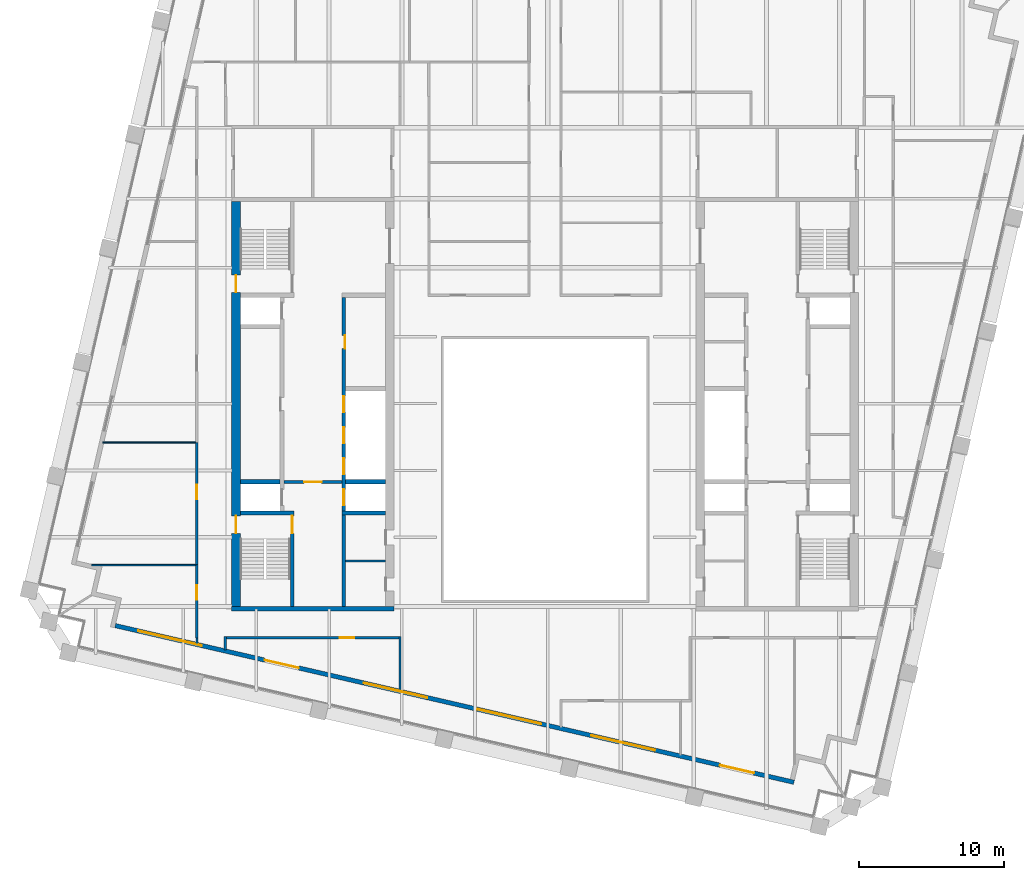
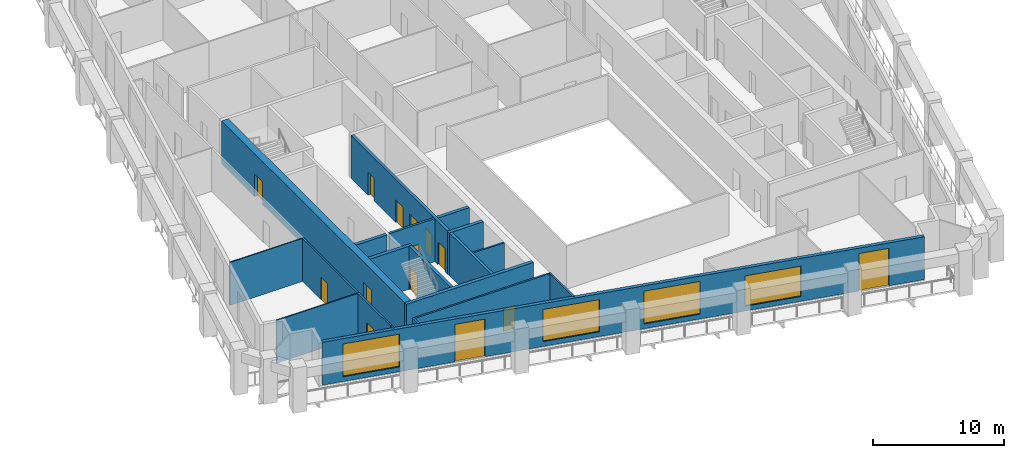
# One storey, part 4 of 10: 19 walls, 14 doors, 4 windows, 18 openings.
"""IFC4 building model written with IfcOpenShell, lengths in metres."""

from ifc_helpers import new_model, si_unit, direction, frame, frame_2d, origin, place, context, subcontext, project, spatial, rectangle, extrude, material, layer, layer_set, type_object, element, fill, save


model = new_model("IFC4")

# Units and contexts
model_context = context("Model", 3, precision=1e-05, world=origin(), true_north=direction((0.0, 1.0)))
body_context = subcontext(model_context, "Body", "Model", "MODEL_VIEW")
ifc_project = project(units=[si_unit("LENGTHUNIT", "METRE"), si_unit("AREAUNIT", "SQUARE_METRE"), si_unit("VOLUMEUNIT", "CUBIC_METRE"), si_unit("PLANEANGLEUNIT", "RADIAN"), si_unit("MASSUNIT", "GRAM", prefix="KILO")], contexts=[model_context])

# Site, building, storey
site_placement = place(None, origin())
site = spatial("IfcSite", under=ifc_project, at=site_placement, CompositionType="ELEMENT")
building_placement = place(site_placement, origin())
building = spatial("IfcBuilding", under=site, at=building_placement, Name="Ogive Exchange Tower", CompositionType="ELEMENT")
storey_placement = place(building_placement, frame((0.0, 0.0, 255.60009765625)))
storey = spatial("IfcBuildingStorey", under=building, at=storey_placement, Name="L55", CompositionType="ELEMENT", Elevation=255.60009765625)

# Wall
ifc_material_1 = material(Name="Gypsum board partition")
ifc_layer_1 = layer(ifc_material_1, 0.14990234375)
ifc_layer_set_1 = layer_set([ifc_layer_1], Name="Core room partition 150 gypsum")
wall_type_1 = type_object("IfcWallType", Name="Core room partition 150 gypsum", PredefinedType="PARTITIONING", material=ifc_layer_set_1)
wall_1_placement = place(storey_placement, frame((-13.75, 0.699951171875, 0.0), z_axis=(0.0, 0.0, 1.0), x_axis=(1.0, 0.0, 0.0)))
element("IfcWall", 1, at=wall_1_placement, inside=storey, type_object=wall_type_1, Name="W south room partition", PredefinedType="PARTITIONING", context=body_context, shape_type="SweptSolid", body=[
    extrude(rectangle(XDim=2.75, YDim=0.14990234375, at=frame_2d((1.375, 0.0))), origin(), (0.0, 0.0, 1.0), 4.0),
])

# Wall, opening, door
ifc_material_2 = material(Name="Fire partition EI 60 150")
ifc_layer_2 = layer(ifc_material_2, 0.14990234375)
ifc_layer_set_2 = layer_set([ifc_layer_2], Name="Fire partition EI 60 150")
wall_type_2 = type_object("IfcWallType", Name="Fire partition EI 60 150", PredefinedType="PARTITIONING", material=ifc_layer_set_2)
wall_2_placement = place(storey_placement, frame((-24.0, -4.60009765625, 0.0), z_axis=(0.0, 0.0, 1.0), x_axis=(0.0, 1.0, 0.0)))
wall_2 = element("IfcWall", 2, at=wall_2_placement, inside=storey, type_object=wall_type_2, Name="L55-PWL-003", PredefinedType="PARTITIONING", context=body_context, shape_type="SweptSolid", body=[
    extrude(rectangle(XDim=5.06005859375, YDim=0.14990234375, at=frame_2d((2.530029296875, 0.0))), origin(), (0.0, 0.0, 1.0), 4.0),
])
opening_1_placement = place(wall_2_placement, frame((2.610107421875, 0.0, 0.0)))
opening_1 = element("IfcOpeningElement", 3, at=opening_1_placement, cuts=wall_2, Name="Opening L55-I15", PredefinedType="OPENING", context=body_context, shape_type="SweptSolid", body=[
    extrude(rectangle(XDim=1.0, YDim=2.10009765625, at=frame_2d((0.5, 1.050048828125))), frame((0.0, 0.0849609375, 0.0), z_axis=(0.0, -1.0, 0.0), x_axis=(1.0, 0.0, 0.0)), (0.0, 0.0, 1.0), 0.169921875),
])
ifc_material_3 = material(Name="Fire door FD 30S 1000 x 2100")
door_type_1 = type_object("IfcDoorType", Name="Fire door FD 30S 1000 x 2100", OperationType="NOTDEFINED", PredefinedType="DOOR", material=ifc_material_3)
door_1_placement = place(opening_1_placement, origin())
door_1 = element("IfcDoor", 4, at=door_1_placement, inside=storey, type_object=door_type_1, Name="L55-IDR-015", ObjectType="DT3", OperationType="SINGLE_SWING_LEFT", OverallHeight=2.10009765625, OverallWidth=1.0, PredefinedType="DOOR", context=body_context, shape_type="SweptSolid", body=[
    extrude(rectangle(XDim=1.0, YDim=2.10009765625, at=frame_2d((0.5, 1.050048828125))), frame((0.0, 0.02490234375, 0.0), z_axis=(0.0, -1.0, 0.0), x_axis=(1.0, 0.0, 0.0)), (0.0, 0.0, 1.0), 0.050048828125),
])
fill(opening_1, door_1)

wall_3_placement = place(storey_placement, frame((-24.0, 0.409912109375, 0.0), z_axis=(0.0, 0.0, 1.0), x_axis=(0.0, 1.0, 0.0)))
wall_3 = element("IfcWall", 5, at=wall_3_placement, inside=storey, type_object=wall_type_2, Name="L55-PWL-005", PredefinedType="PARTITIONING", context=body_context, shape_type="SweptSolid", body=[
    extrude(rectangle(XDim=8.4501953125, YDim=0.14990234375, at=frame_2d((4.22509765625, 0.0))), origin(), (0.0, 0.0, 1.0), 4.0),
])
opening_2_placement = place(wall_3_placement, frame((4.550048828125, 0.0, 0.0)))
opening_2 = element("IfcOpeningElement", 6, at=opening_2_placement, cuts=wall_3, Name="Opening L55-I14", PredefinedType="OPENING", context=body_context, shape_type="SweptSolid", body=[
    extrude(rectangle(XDim=1.0, YDim=2.10009765625, at=frame_2d((0.5, 1.050048828125))), frame((0.0, 0.0849609375, 0.0), z_axis=(0.0, -1.0, 0.0), x_axis=(1.0, 0.0, 0.0)), (0.0, 0.0, 1.0), 0.169921875),
])
door_2_placement = place(opening_2_placement, origin())
door_2 = element("IfcDoor", 7, at=door_2_placement, inside=storey, type_object=door_type_1, Name="L55-IDR-014", ObjectType="DT3", OperationType="SINGLE_SWING_LEFT", OverallHeight=2.10009765625, OverallWidth=1.0, PredefinedType="DOOR", context=body_context, shape_type="SweptSolid", body=[
    extrude(rectangle(XDim=1.0, YDim=2.10009765625, at=frame_2d((0.5, 1.050048828125))), frame((0.0, 0.02490234375, 0.0), z_axis=(0.0, -1.0, 0.0), x_axis=(1.0, 0.0, 0.0)), (0.0, 0.0, 1.0), 0.050048828125),
])
fill(opening_2, door_2)

# Walls
wall_4_placement = place(storey_placement, frame((-23.989990234375, -4.986083984375, 0.0), z_axis=(0.0, 0.0, 1.0), x_axis=(0.0, 1.0, 0.0)))
element("IfcWall", 8, at=wall_4_placement, inside=storey, type_object=wall_type_2, Name="L55-PWL-009", PredefinedType="PARTITIONING", context=body_context, shape_type="SweptSolid", body=[
    extrude(rectangle(XDim=0.385986328125, YDim=0.14990234375, at=frame_2d((0.19287109375, 0.0))), origin(), (0.0, 0.0, 1.0), 4.0),
])
wall_5_placement = place(storey_placement, frame((-22.030029296875, -4.52490234375, 0.0), z_axis=(0.0, 0.0, 1.0), x_axis=(0.0, -1.0, 0.0)))
element("IfcWall", 9, at=wall_5_placement, inside=storey, type_object=wall_type_2, Name="L55-PWL-013", PredefinedType="PARTITIONING", context=body_context, shape_type="SweptSolid", body=[
    extrude(rectangle(XDim=0.9130859375, YDim=0.14990234375, at=frame_2d((0.45654296875, 0.0))), origin(), (0.0, 0.0, 1.0), 4.0),
])
wall_6_placement = place(storey_placement, frame((-10.0, -8.216064453125, 0.0), z_axis=(0.0, 0.0, 1.0), x_axis=(0.0, 1.0, 0.0)))
element("IfcWall", 10, at=wall_6_placement, inside=storey, type_object=wall_type_2, Name="L55-PWL-022", PredefinedType="PARTITIONING", context=body_context, shape_type="SweptSolid", body=[
    extrude(rectangle(XDim=3.691162109375, YDim=0.14990234375, at=frame_2d((1.845703125, 0.0))), origin(), (0.0, 0.0, 1.0), 4.0),
])

# Wall, opening, door
wall_7_placement = place(storey_placement, frame((-10.074951171875, -4.60009765625, 0.0), z_axis=(0.0, 0.0, 1.0), x_axis=(-1.0, 0.0, 0.0)))
wall_7 = element("IfcWall", 11, at=wall_7_placement, inside=storey, type_object=wall_type_2, Name="L55-PWL-023", PredefinedType="PARTITIONING", context=body_context, shape_type="SweptSolid", body=[
    extrude(rectangle(XDim=11.880126953125, YDim=0.14990234375, at=frame_2d((5.93994140625, 0.0))), origin(), (0.0, 0.0, 1.0), 4.0),
])
opening_3_placement = place(wall_7_placement, frame((3.054931640625, 0.0, 0.0)))
opening_3 = element("IfcOpeningElement", 12, at=opening_3_placement, cuts=wall_7, Name="Opening L55-I13", PredefinedType="OPENING", context=body_context, shape_type="SweptSolid", body=[
    extrude(rectangle(XDim=1.0, YDim=2.10009765625, at=frame_2d((0.5, 1.050048828125))), frame((0.0, 0.0849609375, 0.0), z_axis=(0.0, -1.0, 0.0), x_axis=(1.0, 0.0, 0.0)), (0.0, 0.0, 1.0), 0.169921875),
])
door_3_placement = place(opening_3_placement, origin())
door_3 = element("IfcDoor", 13, at=door_3_placement, inside=storey, type_object=door_type_1, Name="L55-IDR-013", ObjectType="DT3", OperationType="SINGLE_SWING_RIGHT", OverallHeight=2.10009765625, OverallWidth=1.0, PredefinedType="DOOR", context=body_context, shape_type="SweptSolid", body=[
    extrude(rectangle(XDim=1.0, YDim=2.10009765625, at=frame_2d((0.5, 1.050048828125))), frame((0.0, 0.02490234375, 0.0), z_axis=(0.0, -1.0, 0.0), x_axis=(1.0, 0.0, 0.0)), (0.0, 0.0, 1.0), 0.050048828125),
])
fill(opening_3, door_3)

# Wall, openings, doors, windows
ifc_material_4 = material(Name="Precast concrete C40/50", Category="concrete")
ifc_layer_3 = layer(ifc_material_4, 0.300048828125)
ifc_layer_set_3 = layer_set([ifc_layer_3], Name="Limestone-faced wall 300")
wall_type_3 = type_object("IfcWallType", Name="Limestone-faced wall 300", PredefinedType="STANDARD", material=ifc_layer_set_3)
wall_8_placement = place(storey_placement, frame((-29.6162109375, -3.75830078125, 0.0), z_axis=(0.0, 0.0, 1.0), x_axis=(0.974370532314, -0.224949029246, 0.0)))
wall_8 = element("IfcWall", 14, at=wall_8_placement, inside=storey, type_object=wall_type_3, Name="External wall S1", PredefinedType="STANDARD", context=body_context, shape_type="SweptSolid", body=[
    extrude(rectangle(XDim=48.000244140625, YDim=0.300048828125, at=frame_2d((24.0, 0.0))), origin(), (0.0, 0.0, 1.0), 4.0),
])
opening_4_placement = place(wall_8_placement, frame((1.625, 0.0, 0.449951171875)))
opening_4 = element("IfcOpeningElement", 15, at=opening_4_placement, cuts=wall_8, Name="Opening W1", PredefinedType="OPENING", context=body_context, shape_type="SweptSolid", body=[
    extrude(rectangle(XDim=4.5, YDim=3.050048828125, at=frame_2d((2.25, 1.52490234375))), frame((0.0, 0.159912109375, 0.0), z_axis=(0.0, -1.0, 0.0), x_axis=(1.0, 0.0, 0.0)), (0.0, 0.0, 1.0), 0.320068359375),
])
opening_5_placement = place(wall_8_placement, frame((10.574951171875, 0.0, 0.0)))
opening_5 = element("IfcOpeningElement", 16, at=opening_5_placement, cuts=wall_8, Name="Opening D1", PredefinedType="OPENING", context=body_context, shape_type="SweptSolid", body=[
    extrude(rectangle(XDim=2.39990234375, YDim=3.5, at=frame_2d((1.199951171875, 1.75))), frame((0.0, 0.159912109375, 0.0), z_axis=(0.0, -1.0, 0.0), x_axis=(1.0, 0.0, 0.0)), (0.0, 0.0, 1.0), 0.320068359375),
])
opening_6_placement = place(wall_8_placement, frame((17.574951171875, 0.0, 0.449951171875)))
opening_6 = element("IfcOpeningElement", 17, at=opening_6_placement, cuts=wall_8, Name="Opening W1A", PredefinedType="OPENING", context=body_context, shape_type="SweptSolid", body=[
    extrude(rectangle(XDim=4.5, YDim=3.0, at=frame_2d((2.25, 1.5))), frame((0.0, 0.159912109375, 0.0), z_axis=(0.0, -1.0, 0.0), x_axis=(1.0, 0.0, 0.0)), (0.0, 0.0, 1.0), 0.320068359375),
])
opening_7_placement = place(wall_8_placement, frame((25.625, 0.0, 0.449951171875)))
opening_7 = element("IfcOpeningElement", 18, at=opening_7_placement, cuts=wall_8, Name="Opening W1", PredefinedType="OPENING", context=body_context, shape_type="SweptSolid", body=[
    extrude(rectangle(XDim=4.5, YDim=3.050048828125, at=frame_2d((2.25, 1.52490234375))), frame((0.0, 0.159912109375, 0.0), z_axis=(0.0, -1.0, 0.0), x_axis=(1.0, 0.0, 0.0)), (0.0, 0.0, 1.0), 0.320068359375),
])
opening_8_placement = place(wall_8_placement, frame((33.675048828125, 0.0, 0.449951171875)))
opening_8 = element("IfcOpeningElement", 19, at=opening_8_placement, cuts=wall_8, Name="Opening W1E", PredefinedType="OPENING", context=body_context, shape_type="SweptSolid", body=[
    extrude(rectangle(XDim=4.5, YDim=2.824951171875, at=frame_2d((2.25, 1.41259765625))), frame((0.0, 0.159912109375, 0.0), z_axis=(0.0, -1.0, 0.0), x_axis=(1.0, 0.0, 0.0)), (0.0, 0.0, 1.0), 0.320068359375),
])
opening_9_placement = place(wall_8_placement, frame((42.77490234375, 0.0, 0.0)))
opening_9 = element("IfcOpeningElement", 20, at=opening_9_placement, cuts=wall_8, Name="Opening D1", PredefinedType="OPENING", context=body_context, shape_type="SweptSolid", body=[
    extrude(rectangle(XDim=2.39990234375, YDim=3.5, at=frame_2d((1.199951171875, 1.75))), frame((0.0, 0.159912109375, 0.0), z_axis=(0.0, -1.0, 0.0), x_axis=(1.0, 0.0, 0.0)), (0.0, 0.0, 1.0), 0.320068359375),
])
ifc_material_5 = material(Name="Clear glass in bronze frame", Category="glass")
door_type_2 = type_object("IfcDoorType", Name="Sliding loggia door 2400 x 3500", OperationType="DOUBLE_DOOR_SLIDING", PredefinedType="DOOR", material=ifc_material_5)
door_4_placement = place(opening_5_placement, origin())
door_4 = element("IfcDoor", 21, at=door_4_placement, inside=storey, type_object=door_type_2, Name="Loggia door S01", OperationType="DOUBLE_DOOR_SLIDING", OverallHeight=3.5, OverallWidth=2.39990234375, PredefinedType="DOOR", context=body_context, shape_type="SweptSolid", body=[
    extrude(rectangle(XDim=2.39990234375, YDim=3.5, at=frame_2d((1.199951171875, 1.75))), frame((0.0, 0.02490234375, 0.0), z_axis=(0.0, -1.0, 0.0), x_axis=(1.0, 0.0, 0.0)), (0.0, 0.0, 1.0), 0.050048828125),
])
fill(opening_5, door_4)
door_5_placement = place(opening_9_placement, origin())
door_5 = element("IfcDoor", 22, at=door_5_placement, inside=storey, type_object=door_type_2, Name="Loggia door S05", OperationType="DOUBLE_DOOR_SLIDING", OverallHeight=3.5, OverallWidth=2.39990234375, PredefinedType="DOOR", context=body_context, shape_type="SweptSolid", body=[
    extrude(rectangle(XDim=2.39990234375, YDim=3.5, at=frame_2d((1.199951171875, 1.75))), frame((0.0, 0.02490234375, 0.0), z_axis=(0.0, -1.0, 0.0), x_axis=(1.0, 0.0, 0.0)), (0.0, 0.0, 1.0), 0.050048828125),
])
fill(opening_9, door_5)
window_type_1 = type_object("IfcWindowType", Name="Twin lancet window 4500 x 2825", PartitioningType="DOUBLE_PANEL_VERTICAL", PredefinedType="WINDOW", material=ifc_material_5)
window_1_placement = place(opening_8_placement, origin())
window_1 = element("IfcWindow", 23, at=window_1_placement, inside=storey, type_object=window_type_1, Name="Window S04", OverallHeight=2.824951171875, OverallWidth=4.5, PartitioningType="DOUBLE_PANEL_VERTICAL", PredefinedType="WINDOW", context=body_context, shape_type="SweptSolid", body=[
    extrude(rectangle(XDim=4.5, YDim=2.824951171875, at=frame_2d((2.25, 1.41259765625))), frame((0.0, 0.030029296875, 0.0), z_axis=(0.0, -1.0, 0.0), x_axis=(1.0, 0.0, 0.0)), (0.0, 0.0, 1.0), 0.06005859375),
])
fill(opening_8, window_1)
window_type_2 = type_object("IfcWindowType", Name="Twin lancet window 4500 x 3000", PartitioningType="DOUBLE_PANEL_VERTICAL", PredefinedType="WINDOW", material=ifc_material_5)
window_2_placement = place(opening_6_placement, origin())
window_2 = element("IfcWindow", 24, at=window_2_placement, inside=storey, type_object=window_type_2, Name="Window S02", OverallHeight=3.0, OverallWidth=4.5, PartitioningType="DOUBLE_PANEL_VERTICAL", PredefinedType="WINDOW", context=body_context, shape_type="SweptSolid", body=[
    extrude(rectangle(XDim=4.5, YDim=3.0, at=frame_2d((2.25, 1.5))), frame((0.0, 0.030029296875, 0.0), z_axis=(0.0, -1.0, 0.0), x_axis=(1.0, 0.0, 0.0)), (0.0, 0.0, 1.0), 0.06005859375),
])
fill(opening_6, window_2)
window_type_3 = type_object("IfcWindowType", Name="Twin lancet window 4500 x 3050", PartitioningType="DOUBLE_PANEL_VERTICAL", PredefinedType="WINDOW", material=ifc_material_5)
window_3_placement = place(opening_4_placement, origin())
window_3 = element("IfcWindow", 25, at=window_3_placement, inside=storey, type_object=window_type_3, Name="Window S00", OverallHeight=3.050048828125, OverallWidth=4.5, PartitioningType="DOUBLE_PANEL_VERTICAL", PredefinedType="WINDOW", context=body_context, shape_type="SweptSolid", body=[
    extrude(rectangle(XDim=4.5, YDim=3.050048828125, at=frame_2d((2.25, 1.52490234375))), frame((0.0, 0.030029296875, 0.0), z_axis=(0.0, -1.0, 0.0), x_axis=(1.0, 0.0, 0.0)), (0.0, 0.0, 1.0), 0.06005859375),
])
fill(opening_4, window_3)
window_4_placement = place(opening_7_placement, origin())
window_4 = element("IfcWindow", 26, at=window_4_placement, inside=storey, type_object=window_type_3, Name="Window S03", OverallHeight=3.050048828125, OverallWidth=4.5, PartitioningType="DOUBLE_PANEL_VERTICAL", PredefinedType="WINDOW", context=body_context, shape_type="SweptSolid", body=[
    extrude(rectangle(XDim=4.5, YDim=3.050048828125, at=frame_2d((2.25, 1.52490234375))), frame((0.0, 0.030029296875, 0.0), z_axis=(0.0, -1.0, 0.0), x_axis=(1.0, 0.0, 0.0)), (0.0, 0.0, 1.0), 0.06005859375),
])
fill(opening_7, window_4)

# Walls
ifc_material_6 = material(Name="Partition 100 gypsum")
ifc_layer_4 = layer(ifc_material_6, 0.10009765625)
ifc_layer_set_4 = layer_set([ifc_layer_4], Name="Partition 100 gypsum")
wall_type_4 = type_object("IfcWallType", Name="Partition 100 gypsum", PredefinedType="PARTITIONING", material=ifc_layer_set_4)
wall_9_placement = place(storey_placement, frame((-24.074951171875, 0.409912109375, 0.0), z_axis=(0.0, 0.0, 1.0), x_axis=(-1.0, 0.0, 0.0)))
element("IfcWall", 27, at=wall_9_placement, inside=storey, type_object=wall_type_4, Name="L55-PWL-004", PredefinedType="PARTITIONING", context=body_context, shape_type="SweptSolid", body=[
    extrude(rectangle(XDim=7.170166015625, YDim=0.10009765625, at=frame_2d((3.5849609375, 0.0))), origin(), (0.0, 0.0, 1.0), 4.0),
])
wall_10_placement = place(storey_placement, frame((-24.074951171875, 8.860107421875, 0.0), z_axis=(0.0, 0.0, 1.0), x_axis=(-1.0, 0.0, 0.0)))
element("IfcWall", 28, at=wall_10_placement, inside=storey, type_object=wall_type_4, Name="L55-PWL-006", PredefinedType="PARTITIONING", context=body_context, shape_type="SweptSolid", body=[
    extrude(rectangle(XDim=6.405029296875, YDim=0.10009765625, at=frame_2d((3.20263671875, 0.0))), origin(), (0.0, 0.0, 1.0), 4.0),
])

# Wall, opening, door
ifc_material_7 = material(Name="Concrete C70/85", Category="concrete")
ifc_layer_5 = layer(ifc_material_7, 0.199951171875)
ifc_layer_set_5 = layer_set([ifc_layer_5], Name="RC core wall 200 C70/85")
wall_type_5 = type_object("IfcWallType", Name="RC core wall 200 C70/85", PredefinedType="SHEAR", material=ifc_layer_set_5)
wall_11_placement = place(storey_placement, frame((-18.0, 6.142822265625, 0.0), z_axis=(0.0, 0.0, 1.0), x_axis=(1.0, 0.0, 0.0)))
wall_11 = element("IfcWall", 29, at=wall_11_placement, inside=storey, type_object=wall_type_5, Name="W firefighting lobby wall", PredefinedType="SHEAR", context=body_context, shape_type="SweptSolid", body=[
    extrude(rectangle(XDim=4.0, YDim=0.199951171875, at=frame_2d((2.0, 0.0))), origin(), (0.0, 0.0, 1.0), 4.0),
])
opening_10_placement = place(wall_11_placement, frame((1.39990234375, 0.0, 0.0)))
opening_10 = element("IfcOpeningElement", 30, at=opening_10_placement, cuts=wall_11, Name="Opening L55-C09", PredefinedType="OPENING", context=body_context, shape_type="SweptSolid", body=[
    extrude(rectangle(XDim=1.199951171875, YDim=2.10009765625, at=frame_2d((0.60009765625, 1.050048828125))), frame((0.0, 0.10986328125, 0.0), z_axis=(0.0, -1.0, 0.0), x_axis=(1.0, 0.0, 0.0)), (0.0, 0.0, 1.0), 0.219970703125),
])
ifc_material_8 = material(Name="Steel fire door", Category="steel")
door_type_3 = type_object("IfcDoorType", Name="Firefighting lobby door FD60 1200 x 2100", OperationType="NOTDEFINED", PredefinedType="DOOR", material=ifc_material_8)
door_6_placement = place(opening_10_placement, frame((1.199951171875, 0.0, 0.0), z_axis=(0.0, 0.0, 1.0), x_axis=(-1.0, 0.0, 0.0)))
door_6 = element("IfcDoor", 31, at=door_6_placement, inside=storey, type_object=door_type_3, Name="Firefighting lobby door", ObjectType="CD3", OperationType="SINGLE_SWING_LEFT", OverallHeight=2.10009765625, OverallWidth=1.199951171875, PredefinedType="DOOR", context=body_context, shape_type="SweptSolid", body=[
    extrude(rectangle(XDim=1.199951171875, YDim=2.10009765625, at=frame_2d((0.60009765625, 1.050048828125))), frame((0.0, 0.02490234375, 0.0), z_axis=(0.0, -1.0, 0.0), x_axis=(1.0, 0.0, 0.0)), (0.0, 0.0, 1.0), 0.050048828125),
])
fill(opening_10, door_6)

ifc_layer_6 = layer(ifc_material_7, 0.25)
ifc_layer_set_6 = layer_set([ifc_layer_6], Name="RC core wall 250 C70/85")
wall_type_6 = type_object("IfcWallType", Name="RC core wall 250 C70/85", PredefinedType="SHEAR", material=ifc_layer_set_6)
wall_12_placement = place(storey_placement, frame((-17.425048828125, -2.449951171875, 0.0), z_axis=(0.0, 0.0, 1.0), x_axis=(0.0, 1.0, 0.0)))
wall_12 = element("IfcWall", 32, at=wall_12_placement, inside=storey, type_object=wall_type_6, Name="W stair S front wall", PredefinedType="SHEAR", context=body_context, shape_type="SweptSolid", body=[
    extrude(rectangle(XDim=6.300048828125, YDim=0.25, at=frame_2d((3.14990234375, 0.0))), origin(), (0.0, 0.0, 1.0), 4.0),
])
opening_11_placement = place(wall_12_placement, frame((5.050048828125, 0.0, 0.0)))
opening_11 = element("IfcOpeningElement", 33, at=opening_11_placement, cuts=wall_12, Name="Opening L55-C11", PredefinedType="OPENING", context=body_context, shape_type="SweptSolid", body=[
    extrude(rectangle(XDim=1.199951171875, YDim=2.10009765625, at=frame_2d((0.60009765625, 1.050048828125))), frame((0.0, 0.135009765625, 0.0), z_axis=(0.0, -1.0, 0.0), x_axis=(1.0, 0.0, 0.0)), (0.0, 0.0, 1.0), 0.27001953125),
])
door_type_4 = type_object("IfcDoorType", Name="Stair door FD90 1200 x 2100", OperationType="NOTDEFINED", PredefinedType="DOOR", material=ifc_material_8)
door_7_placement = place(opening_11_placement, origin())
door_7 = element("IfcDoor", 34, at=door_7_placement, inside=storey, type_object=door_type_4, Name="Stair door", ObjectType="CD5", OperationType="SINGLE_SWING_LEFT", OverallHeight=2.10009765625, OverallWidth=1.199951171875, PredefinedType="DOOR", context=body_context, shape_type="SweptSolid", body=[
    extrude(rectangle(XDim=1.199951171875, YDim=2.10009765625, at=frame_2d((0.60009765625, 1.050048828125))), frame((0.0, 0.02490234375, 0.0), z_axis=(0.0, -1.0, 0.0), x_axis=(1.0, 0.0, 0.0)), (0.0, 0.0, 1.0), 0.050048828125),
])
fill(opening_11, door_7)

# Wall, openings, doors
wall_13_placement = place(storey_placement, frame((-13.875, -2.449951171875, 0.0), z_axis=(0.0, 0.0, 1.0), x_axis=(0.0, 1.0, 0.0)))
wall_13 = element("IfcWall", 35, at=wall_13_placement, inside=storey, type_object=wall_type_6, Name="W row B front wall", PredefinedType="SHEAR", context=body_context, shape_type="SweptSolid", body=[
    extrude(rectangle(XDim=21.300048828125, YDim=0.25, at=frame_2d((10.64990234375, 0.0))), origin(), (0.0, 0.0, 1.0), 4.0),
])
opening_12_placement = place(wall_13_placement, frame((17.78564453125, 0.0, 0.0)))
opening_12 = element("IfcOpeningElement", 36, at=opening_12_placement, cuts=wall_13, Name="Opening L55-C04", PredefinedType="OPENING", context=body_context, shape_type="SweptSolid", body=[
    extrude(rectangle(XDim=0.89990234375, YDim=2.10009765625, at=frame_2d((0.449951171875, 1.050048828125))), frame((0.0, 0.135009765625, 0.0), z_axis=(0.0, -1.0, 0.0), x_axis=(1.0, 0.0, 0.0)), (0.0, 0.0, 1.0), 0.27001953125),
])
opening_13_placement = place(wall_13_placement, frame((6.971435546875, 0.0, 0.0)))
opening_13 = element("IfcOpeningElement", 37, at=opening_13_placement, cuts=wall_13, Name="Opening L55-C05", PredefinedType="OPENING", context=body_context, shape_type="SweptSolid", body=[
    extrude(rectangle(XDim=1.10009765625, YDim=2.10009765625, at=frame_2d((0.550048828125, 1.050048828125))), frame((0.0, 0.135009765625, 0.0), z_axis=(0.0, -1.0, 0.0), x_axis=(1.0, 0.0, 0.0)), (0.0, 0.0, 1.0), 0.27001953125),
])
opening_14_placement = place(wall_13_placement, frame((9.1142578125, 0.0, 0.0)))
opening_14 = element("IfcOpeningElement", 38, at=opening_14_placement, cuts=wall_13, Name="Opening L55-C06", PredefinedType="OPENING", context=body_context, shape_type="SweptSolid", body=[
    extrude(rectangle(XDim=1.10009765625, YDim=2.10009765625, at=frame_2d((0.550048828125, 1.050048828125))), frame((0.0, 0.135009765625, 0.0), z_axis=(0.0, -1.0, 0.0), x_axis=(1.0, 0.0, 0.0)), (0.0, 0.0, 1.0), 0.27001953125),
])
opening_15_placement = place(wall_13_placement, frame((11.257080078125, 0.0, 0.0)))
opening_15 = element("IfcOpeningElement", 39, at=opening_15_placement, cuts=wall_13, Name="Opening L55-C07", PredefinedType="OPENING", context=body_context, shape_type="SweptSolid", body=[
    extrude(rectangle(XDim=1.10009765625, YDim=2.10009765625, at=frame_2d((0.550048828125, 1.050048828125))), frame((0.0, 0.135009765625, 0.0), z_axis=(0.0, -1.0, 0.0), x_axis=(1.0, 0.0, 0.0)), (0.0, 0.0, 1.0), 0.27001953125),
])
opening_16_placement = place(wall_13_placement, frame((13.39990234375, 0.0, 0.0)))
opening_16 = element("IfcOpeningElement", 40, at=opening_16_placement, cuts=wall_13, Name="Opening L55-C08", PredefinedType="OPENING", context=body_context, shape_type="SweptSolid", body=[
    extrude(rectangle(XDim=1.10009765625, YDim=2.10009765625, at=frame_2d((0.550048828125, 1.050048828125))), frame((0.0, 0.135009765625, 0.0), z_axis=(0.0, -1.0, 0.0), x_axis=(1.0, 0.0, 0.0)), (0.0, 0.0, 1.0), 0.27001953125),
])
ifc_material_9 = material(Name="Stainless steel", Category="steel")
door_type_5 = type_object("IfcDoorType", Name="Lift landing door FD90 1100 x 2100", OperationType="SLIDING_TO_LEFT", PredefinedType="DOOR", material=ifc_material_9)
door_8_placement = place(opening_13_placement, origin())
door_8 = element("IfcDoor", 41, at=door_8_placement, inside=storey, type_object=door_type_5, Name="Lift landing door SV1", ObjectType="LD", OperationType="SLIDING_TO_LEFT", OverallHeight=2.10009765625, OverallWidth=1.10009765625, PredefinedType="DOOR", context=body_context, shape_type="SweptSolid", body=[
    extrude(rectangle(XDim=1.10009765625, YDim=2.10009765625, at=frame_2d((0.550048828125, 1.050048828125))), frame((0.0, 0.02490234375, 0.0), z_axis=(0.0, -1.0, 0.0), x_axis=(1.0, 0.0, 0.0)), (0.0, 0.0, 1.0), 0.050048828125),
])
fill(opening_13, door_8)
door_9_placement = place(opening_14_placement, origin())
door_9 = element("IfcDoor", 42, at=door_9_placement, inside=storey, type_object=door_type_5, Name="Lift landing door W-M1", ObjectType="LD", OperationType="SLIDING_TO_LEFT", OverallHeight=2.10009765625, OverallWidth=1.10009765625, PredefinedType="DOOR", context=body_context, shape_type="SweptSolid", body=[
    extrude(rectangle(XDim=1.10009765625, YDim=2.10009765625, at=frame_2d((0.550048828125, 1.050048828125))), frame((0.0, 0.02490234375, 0.0), z_axis=(0.0, -1.0, 0.0), x_axis=(1.0, 0.0, 0.0)), (0.0, 0.0, 1.0), 0.050048828125),
])
fill(opening_14, door_9)
door_10_placement = place(opening_15_placement, origin())
door_10 = element("IfcDoor", 43, at=door_10_placement, inside=storey, type_object=door_type_5, Name="Lift landing door W-M2", ObjectType="LD", OperationType="SLIDING_TO_LEFT", OverallHeight=2.10009765625, OverallWidth=1.10009765625, PredefinedType="DOOR", context=body_context, shape_type="SweptSolid", body=[
    extrude(rectangle(XDim=1.10009765625, YDim=2.10009765625, at=frame_2d((0.550048828125, 1.050048828125))), frame((0.0, 0.02490234375, 0.0), z_axis=(0.0, -1.0, 0.0), x_axis=(1.0, 0.0, 0.0)), (0.0, 0.0, 1.0), 0.050048828125),
])
fill(opening_15, door_10)
door_11_placement = place(opening_16_placement, origin())
door_11 = element("IfcDoor", 44, at=door_11_placement, inside=storey, type_object=door_type_5, Name="Lift landing door W-M3", ObjectType="LD", OperationType="SLIDING_TO_LEFT", OverallHeight=2.10009765625, OverallWidth=1.10009765625, PredefinedType="DOOR", context=body_context, shape_type="SweptSolid", body=[
    extrude(rectangle(XDim=1.10009765625, YDim=2.10009765625, at=frame_2d((0.550048828125, 1.050048828125))), frame((0.0, 0.02490234375, 0.0), z_axis=(0.0, -1.0, 0.0), x_axis=(1.0, 0.0, 0.0)), (0.0, 0.0, 1.0), 0.050048828125),
])
fill(opening_16, door_11)
door_type_6 = type_object("IfcDoorType", Name="Riser door FD60 900 x 2100", OperationType="NOTDEFINED", PredefinedType="DOOR", material=ifc_material_8)
door_12_placement = place(opening_12_placement, frame((0.89990234375, -0.2001953125, 0.0), z_axis=(0.0, 0.0, 1.0), x_axis=(-1.0, 0.0, 0.0)))
door_12 = element("IfcDoor", 45, at=door_12_placement, inside=storey, type_object=door_type_6, Name="Riser door", ObjectType="CD2", OperationType="SINGLE_SWING_RIGHT", OverallHeight=2.10009765625, OverallWidth=0.89990234375, PredefinedType="DOOR", context=body_context, shape_type="SweptSolid", body=[
    extrude(rectangle(XDim=0.89990234375, YDim=2.10009765625, at=frame_2d((0.449951171875, 1.050048828125))), frame((0.0, -0.0751953125, 0.0), z_axis=(0.0, -1.0, 0.0), x_axis=(1.0, 0.0, 0.0)), (0.0, 0.0, 1.0), 0.050048828125),
])
fill(opening_12, door_12)

# Walls
ifc_layer_7 = layer(ifc_material_7, 0.300048828125)
ifc_layer_set_7 = layer_set([ifc_layer_7], Name="RC core wall 300 C70/85")
wall_type_7 = type_object("IfcWallType", Name="RC core wall 300 C70/85", PredefinedType="SHEAR", material=ifc_layer_set_7)
wall_14_placement = place(storey_placement, frame((-21.60009765625, -2.60009765625, 0.0), z_axis=(0.0, 0.0, 1.0), x_axis=(1.0, 0.0, 0.0)))
element("IfcWall", 46, at=wall_14_placement, inside=storey, type_object=wall_type_7, Name="W south end wall", PredefinedType="SHEAR", context=body_context, shape_type="SweptSolid", body=[
    extrude(rectangle(XDim=11.2001953125, YDim=0.300048828125, at=frame_2d((5.60009765625, 0.0))), origin(), (0.0, 0.0, 1.0), 4.0),
])
wall_15_placement = place(storey_placement, frame((-21.0, 4.0, 0.0), z_axis=(0.0, 0.0, 1.0), x_axis=(1.0, 0.0, 0.0)))
element("IfcWall", 47, at=wall_15_placement, inside=storey, type_object=wall_type_7, Name="W stair S north wall", PredefinedType="SHEAR", context=body_context, shape_type="SweptSolid", body=[
    extrude(rectangle(XDim=3.699951171875, YDim=0.300048828125, at=frame_2d((1.85009765625, 0.0))), origin(), (0.0, 0.0, 1.0), 4.0),
])
wall_16_placement = place(storey_placement, frame((-21.0, 6.142822265625, 0.0), z_axis=(0.0, 0.0, 1.0), x_axis=(1.0, 0.0, 0.0)))
element("IfcWall", 48, at=wall_16_placement, inside=storey, type_object=wall_type_7, Name="W row A divider 1", PredefinedType="SHEAR", context=body_context, shape_type="SweptSolid", body=[
    extrude(rectangle(XDim=2.75, YDim=0.300048828125, at=frame_2d((1.375, 0.0))), origin(), (0.0, 0.0, 1.0), 4.0),
])
wall_17_placement = place(storey_placement, frame((-14.0, 4.0, 0.0), z_axis=(0.0, 0.0, 1.0), x_axis=(1.0, 0.0, 0.0)))
element("IfcWall", 49, at=wall_17_placement, inside=storey, type_object=wall_type_7, Name="W row B divider 0", PredefinedType="SHEAR", context=body_context, shape_type="SweptSolid", body=[
    extrude(rectangle(XDim=3.0, YDim=0.300048828125, at=frame_2d((1.5, 0.0))), origin(), (0.0, 0.0, 1.0), 4.0),
])
wall_18_placement = place(storey_placement, frame((-13.75, 6.142822265625, 0.0), z_axis=(0.0, 0.0, 1.0), x_axis=(1.0, 0.0, 0.0)))
element("IfcWall", 50, at=wall_18_placement, inside=storey, type_object=wall_type_7, Name="W row B divider 1", PredefinedType="SHEAR", context=body_context, shape_type="SweptSolid", body=[
    extrude(rectangle(XDim=2.75, YDim=0.300048828125, at=frame_2d((1.375, 0.0))), origin(), (0.0, 0.0, 1.0), 4.0),
])

# Wall, openings, doors
ifc_layer_8 = layer(ifc_material_7, 0.60009765625)
ifc_layer_set_8 = layer_set([ifc_layer_8], Name="RC core wall 600 C70/85")
wall_type_8 = type_object("IfcWallType", Name="RC core wall 600 C70/85", PredefinedType="SHEAR", material=ifc_layer_set_8)
wall_19_placement = place(storey_placement, frame((-21.300048828125, -2.449951171875, 0.0), z_axis=(0.0, 0.0, 1.0), x_axis=(0.0, 1.0, 0.0)))
wall_19 = element("IfcWall", 51, at=wall_19_placement, inside=storey, type_object=wall_type_8, Name="W outer wall", PredefinedType="SHEAR", context=body_context, shape_type="SweptSolid", body=[
    extrude(rectangle(XDim=27.89990234375, YDim=0.60009765625, at=frame_2d((13.949951171875, 0.0))), origin(), (0.0, 0.0, 1.0), 4.0),
])
opening_17_placement = place(wall_19_placement, frame((5.050048828125, 0.0, 0.0)))
opening_17 = element("IfcOpeningElement", 52, at=opening_17_placement, cuts=wall_19, Name="Opening L55-C12", PredefinedType="OPENING", context=body_context, shape_type="SweptSolid", body=[
    extrude(rectangle(XDim=1.199951171875, YDim=2.10009765625, at=frame_2d((0.60009765625, 1.050048828125))), frame((0.0, 0.31005859375, 0.0), z_axis=(0.0, -1.0, 0.0), x_axis=(1.0, 0.0, 0.0)), (0.0, 0.0, 1.0), 0.6201171875),
])
opening_18_placement = place(wall_19_placement, frame((21.64990234375, 0.0, 0.0)))
opening_18 = element("IfcOpeningElement", 53, at=opening_18_placement, cuts=wall_19, Name="Opening L55-C14", PredefinedType="OPENING", context=body_context, shape_type="SweptSolid", body=[
    extrude(rectangle(XDim=1.199951171875, YDim=2.10009765625, at=frame_2d((0.60009765625, 1.050048828125))), frame((0.0, 0.31005859375, 0.0), z_axis=(0.0, -1.0, 0.0), x_axis=(1.0, 0.0, 0.0)), (0.0, 0.0, 1.0), 0.6201171875),
])
door_13_placement = place(opening_17_placement, origin())
door_13 = element("IfcDoor", 54, at=door_13_placement, inside=storey, type_object=door_type_4, Name="Stair door", ObjectType="CD5", OperationType="SINGLE_SWING_LEFT", OverallHeight=2.10009765625, OverallWidth=1.199951171875, PredefinedType="DOOR", context=body_context, shape_type="SweptSolid", body=[
    extrude(rectangle(XDim=1.199951171875, YDim=2.10009765625, at=frame_2d((0.60009765625, 1.050048828125))), frame((0.0, 0.02490234375, 0.0), z_axis=(0.0, -1.0, 0.0), x_axis=(1.0, 0.0, 0.0)), (0.0, 0.0, 1.0), 0.050048828125),
])
fill(opening_17, door_13)
door_14_placement = place(opening_18_placement, origin())
door_14 = element("IfcDoor", 55, at=door_14_placement, inside=storey, type_object=door_type_4, Name="Stair door", ObjectType="CD5", OperationType="SINGLE_SWING_RIGHT", OverallHeight=2.10009765625, OverallWidth=1.199951171875, PredefinedType="DOOR", context=body_context, shape_type="SweptSolid", body=[
    extrude(rectangle(XDim=1.199951171875, YDim=2.10009765625, at=frame_2d((0.60009765625, 1.050048828125))), frame((0.0, 0.02490234375, 0.0), z_axis=(0.0, -1.0, 0.0), x_axis=(1.0, 0.0, 0.0)), (0.0, 0.0, 1.0), 0.050048828125),
])
fill(opening_18, door_14)

save(model, "model.ifc")
